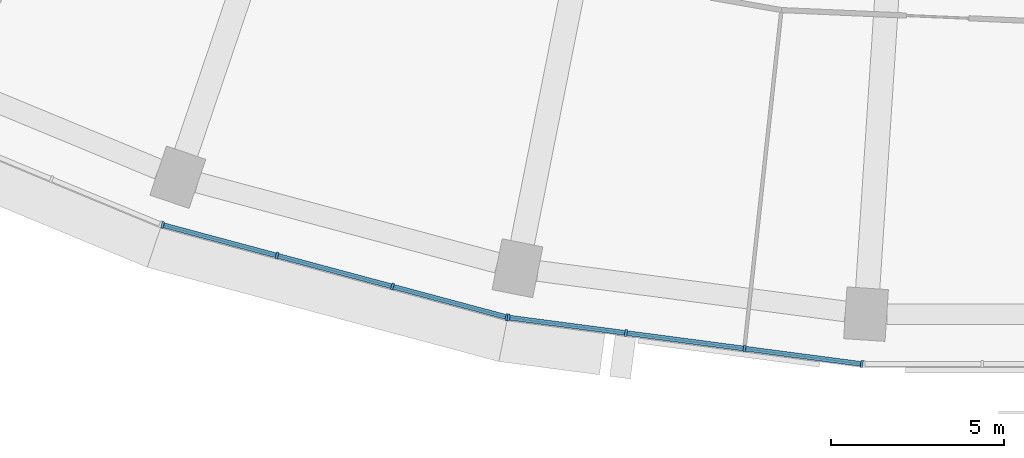
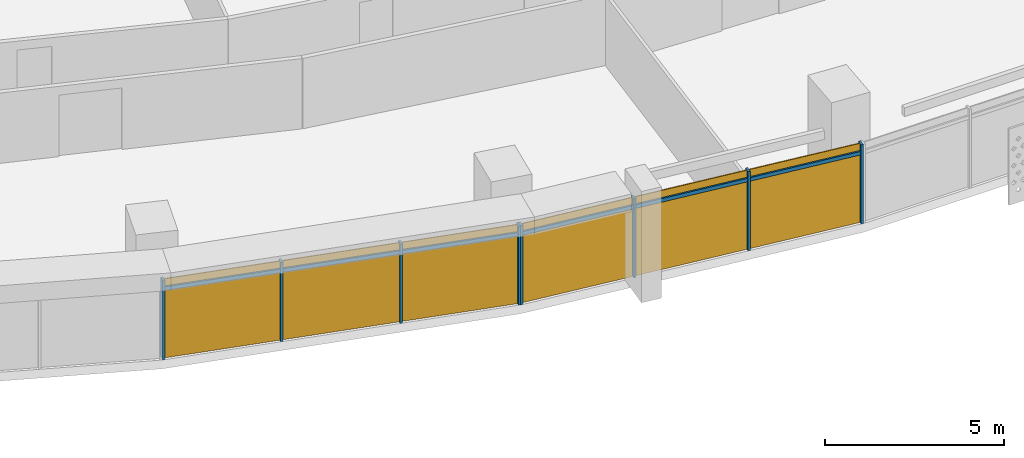
# One storey, part 19 of 29: 14 members, 2 curtain walls.
"""IFC4 building model written with IfcOpenShell, lengths in metres."""

from ifc_helpers import new_model, si_unit, direction, frame, origin, origin_2d, place, context, subcontext, project, spatial, rectangle, extrude, material, material_profile, profile_set, type_object, element, aggregate, save


model = new_model("IFC4")

# Units and contexts
model_context = context("Model", 3, precision=1e-05, world=origin(), true_north=direction((0.0, 1.0)))
body_context = subcontext(model_context, "Body", "Model", "MODEL_VIEW")
ifc_project = project(units=[si_unit("LENGTHUNIT", "METRE"), si_unit("AREAUNIT", "SQUARE_METRE"), si_unit("VOLUMEUNIT", "CUBIC_METRE"), si_unit("PLANEANGLEUNIT", "RADIAN"), si_unit("MASSUNIT", "GRAM", prefix="KILO")], contexts=[model_context])

# Member
ifc_material = material(Name="Aluminium 6063-T6 anodised", Category="aluminium")
ifc_material_profile_1 = material_profile(ifc_material, rectangle(XDim=0.199951171875, YDim=0.070068359375, at=origin_2d()))
ifc_profile_set_1 = profile_set([ifc_material_profile_1], Name="Aluminium 6063-T6 anodised")
member_type_1 = type_object("IfcMemberType", Name="Mullion 70 x 200 aluminium", PredefinedType="MULLION", material=ifc_profile_set_1)
site_placement = place(None, origin())
building_placement = place(site_placement, origin())
storey_placement = place(building_placement, frame((0.0, 0.0, 106.300048828125)))
member_1_placement = place(storey_placement, frame((-25.430419921875, -75.00390625, 0.0), z_axis=(0.0, 0.0, 1.0), x_axis=(0.258819045103, 0.965925826289, 0.0)))
member_1 = element("IfcMember", 1, at=member_1_placement, type_object=member_type_1, Name="e-cw1-L23-out07/M00", PredefinedType="MULLION", context=body_context, shape_type="SweptSolid", body=[
    extrude(rectangle(XDim=0.199951171875, YDim=0.070068359375, at=origin_2d()), origin(), (0.0, 0.0, 1.0), 2.699951171875),
])

member_2_placement = place(storey_placement, frame((-22.12451171875, -75.889892578125, 0.0), z_axis=(0.0, 0.0, 1.0), x_axis=(0.258819045103, 0.965925826289, 0.0)))
member_2 = element("IfcMember", 2, at=member_2_placement, type_object=member_type_1, Name="e-cw1-L23-out07/M01", PredefinedType="MULLION", context=body_context, shape_type="SweptSolid", body=[
    extrude(rectangle(XDim=0.199951171875, YDim=0.070068359375, at=origin_2d()), origin(), (0.0, 0.0, 1.0), 2.699951171875),
])

member_3_placement = place(storey_placement, frame((-18.78466796875, -76.78466796875, 0.0), z_axis=(0.0, 0.0, 1.0), x_axis=(0.258819045103, 0.965925826289, 0.0)))
member_3 = element("IfcMember", 3, at=member_3_placement, type_object=member_type_1, Name="e-cw1-L23-out07/M02", PredefinedType="MULLION", context=body_context, shape_type="SweptSolid", body=[
    extrude(rectangle(XDim=0.199951171875, YDim=0.070068359375, at=origin_2d()), origin(), (0.0, 0.0, 1.0), 2.699951171875),
])

member_4_placement = place(storey_placement, frame((-15.478515625, -77.670654296875, 0.0), z_axis=(0.0, 0.0, 1.0), x_axis=(0.258819045103, 0.965925826289, 0.0)))
member_4 = element("IfcMember", 4, at=member_4_placement, type_object=member_type_1, Name="e-cw1-L23-out07/M03", PredefinedType="MULLION", context=body_context, shape_type="SweptSolid", body=[
    extrude(rectangle(XDim=0.199951171875, YDim=0.070068359375, at=origin_2d()), origin(), (0.0, 0.0, 1.0), 2.699951171875),
])

member_5_placement = place(storey_placement, frame((-15.4228515625, -77.681640625, 0.0), z_axis=(0.0, 0.0, 1.0), x_axis=(0.13052619222, 0.991444861374, 0.0)))
member_5 = element("IfcMember", 5, at=member_5_placement, type_object=member_type_1, Name="e-cw1-L23-out08/M00", PredefinedType="MULLION", context=body_context, shape_type="SweptSolid", body=[
    extrude(rectangle(XDim=0.199951171875, YDim=0.070068359375, at=origin_2d()), origin(), (0.0, 0.0, 1.0), 2.699951171875),
])

member_6_placement = place(storey_placement, frame((-12.029541015625, -78.12841796875, 0.0), z_axis=(0.0, 0.0, 1.0), x_axis=(0.13052619222, 0.991444861374, 0.0)))
member_6 = element("IfcMember", 6, at=member_6_placement, type_object=member_type_1, Name="e-cw1-L23-out08/M01", PredefinedType="MULLION", context=body_context, shape_type="SweptSolid", body=[
    extrude(rectangle(XDim=0.199951171875, YDim=0.070068359375, at=origin_2d()), origin(), (0.0, 0.0, 1.0), 2.699951171875),
])

member_7_placement = place(storey_placement, frame((-8.6015625, -78.579833984375, 0.0), z_axis=(0.0, 0.0, 1.0), x_axis=(0.13052619222, 0.991444861374, 0.0)))
member_7 = element("IfcMember", 7, at=member_7_placement, type_object=member_type_1, Name="e-cw1-L23-out08/M02", PredefinedType="MULLION", context=body_context, shape_type="SweptSolid", body=[
    extrude(rectangle(XDim=0.199951171875, YDim=0.070068359375, at=origin_2d()), origin(), (0.0, 0.0, 1.0), 2.699951171875),
])

member_8_placement = place(storey_placement, frame((-5.2080078125, -79.026611328125, 0.0), z_axis=(0.0, 0.0, 1.0), x_axis=(0.13052619222, 0.991444861374, 0.0)))
member_8 = element("IfcMember", 8, at=member_8_placement, type_object=member_type_1, Name="e-cw1-L23-out08/M03", PredefinedType="MULLION", context=body_context, shape_type="SweptSolid", body=[
    extrude(rectangle(XDim=0.199951171875, YDim=0.070068359375, at=origin_2d()), origin(), (0.0, 0.0, 1.0), 2.699951171875),
])

ifc_material_profile_2 = material_profile(ifc_material, rectangle(XDim=0.139892578125, YDim=0.1201171875, at=origin_2d()))
ifc_profile_set_2 = profile_set([ifc_material_profile_2], Name="Aluminium 6063-T6 anodised")
member_type_2 = type_object("IfcMemberType", Name="Transom 120 x 140 aluminium", PredefinedType="USERDEFINED", material=ifc_profile_set_2)
member_9_placement = place(storey_placement, frame((-25.396728515625, -75.01318359375, 2.39990234375), z_axis=(0.965932125453, -0.258795535157, 0.0), x_axis=(0.258795535157, 0.965932125453, 0.0)))
member_9 = element("IfcMember", 9, at=member_9_placement, type_object=member_type_2, Name="e-cw1-L23-out07/T00", ObjectType="TRANSOM", PredefinedType="USERDEFINED", context=body_context, shape_type="SweptSolid", body=[
    extrude(rectangle(XDim=0.139892578125, YDim=0.1201171875, at=origin_2d()), origin(), (0.0, 0.0, 1.0), 3.352783203125),
])

member_10_placement = place(storey_placement, frame((-22.090576171875, -75.89892578125, 2.39990234375), z_axis=(0.965931646033, -0.258797324547, 0.0), x_axis=(0.258797324547, 0.965931646033, 0.0)))
member_10 = element("IfcMember", 10, at=member_10_placement, type_object=member_type_2, Name="e-cw1-L23-out07/T01", ObjectType="TRANSOM", PredefinedType="USERDEFINED", context=body_context, shape_type="SweptSolid", body=[
    extrude(rectangle(XDim=0.139892578125, YDim=0.1201171875, at=origin_2d()), origin(), (0.0, 0.0, 1.0), 3.3876953125),
])

member_11_placement = place(storey_placement, frame((-18.750732421875, -76.7939453125, 2.39990234375), z_axis=(0.965927247937, -0.258813739382, 0.0), x_axis=(0.258813739382, 0.965927247937, 0.0)))
member_11 = element("IfcMember", 11, at=member_11_placement, type_object=member_type_2, Name="e-cw1-L23-out07/T02", ObjectType="TRANSOM", PredefinedType="USERDEFINED", context=body_context, shape_type="SweptSolid", body=[
    extrude(rectangle(XDim=0.139892578125, YDim=0.1201171875, at=origin_2d()), origin(), (0.0, 0.0, 1.0), 3.3525390625),
])

member_12_placement = place(storey_placement, frame((-15.38818359375, -77.686279296875, 2.39990234375), z_axis=(0.991449089759, -0.130494070426, 0.0), x_axis=(0.130494070426, 0.991449089759, 0.0)))
member_12 = element("IfcMember", 12, at=member_12_placement, type_object=member_type_2, Name="e-cw1-L23-out08/T00", ObjectType="TRANSOM", PredefinedType="USERDEFINED", context=body_context, shape_type="SweptSolid", body=[
    extrude(rectangle(XDim=0.139892578125, YDim=0.1201171875, at=origin_2d()), origin(), (0.0, 0.0, 1.0), 3.3525390625),
])

member_13_placement = place(storey_placement, frame((-11.994873046875, -78.133056640625, 2.39990234375), z_axis=(0.991446198807, -0.130516033004, 0.0), x_axis=(0.130516033004, 0.991446198807, 0.0)))
member_13 = element("IfcMember", 13, at=member_13_placement, type_object=member_type_2, Name="e-cw1-L23-out08/T01", ObjectType="TRANSOM", PredefinedType="USERDEFINED", context=body_context, shape_type="SweptSolid", body=[
    extrude(rectangle(XDim=0.139892578125, YDim=0.1201171875, at=origin_2d()), origin(), (0.0, 0.0, 1.0), 3.3876953125),
])

member_14_placement = place(storey_placement, frame((-8.56689453125, -78.584228515625, 2.39990234375), z_axis=(0.991439665896, -0.130565649721, 0.0), x_axis=(0.130565649721, 0.991439665896, 0.0)))
member_14 = element("IfcMember", 14, at=member_14_placement, type_object=member_type_2, Name="e-cw1-L23-out08/T02", ObjectType="TRANSOM", PredefinedType="USERDEFINED", context=body_context, shape_type="SweptSolid", body=[
    extrude(rectangle(XDim=0.139892578125, YDim=0.1201171875, at=origin_2d()), origin(), (0.0, 0.0, 1.0), 3.352783203125),
])

# Site, building, storey
site = spatial("IfcSite", under=ifc_project, at=site_placement, CompositionType="ELEMENT")
building = spatial("IfcBuilding", under=site, at=building_placement, Name="Qamariyya Broadcast Tower", CompositionType="ELEMENT")
storey = spatial("IfcBuildingStorey", under=building, at=storey_placement, Name="L23", CompositionType="ELEMENT", Elevation=106.300048828125)

# Curtain wall
curtain_wall_type = type_object("IfcCurtainWallType", Name="Unitised curtain wall, anodised aluminium", PredefinedType="NOTDEFINED", material=ifc_material)
curtain_wall_1_placement = place(storey_placement, origin())
curtain_wall_1 = element("IfcCurtainWall", 15, at=curtain_wall_1_placement, inside=storey, type_object=curtain_wall_type, Name="e-cw1-L23-out07", PredefinedType="NOTDEFINED", context=body_context, shape_type="SweptSolid", body=[
    extrude(rectangle(XDim=3.352783203125, YDim=0.031982421875, at=origin_2d()), frame((-23.777587890625, -75.44677734375, 0.0), x_axis=(0.965923677743, -0.258827063454, 0.0)), (0.0, 0.0, 1.0), 2.340087890625),
    extrude(rectangle(XDim=3.352783203125, YDim=0.031982421875, at=origin_2d()), frame((-23.777587890625, -75.44677734375, 2.4599609375), x_axis=(0.965923677743, -0.258827063454, 0.0)), (0.0, 0.0, 1.0), 0.239990234375),
    extrude(rectangle(XDim=3.3876953125, YDim=0.031982421875, at=origin_2d()), frame((-20.45458984375, -76.33740234375, 0.0), x_axis=(0.965923677743, -0.258827063454, 0.0)), (0.0, 0.0, 1.0), 2.340087890625),
    extrude(rectangle(XDim=3.3876953125, YDim=0.031982421875, at=origin_2d()), frame((-20.45458984375, -76.33740234375, 2.4599609375), x_axis=(0.965923677743, -0.258827063454, 0.0)), (0.0, 0.0, 1.0), 0.239990234375),
    extrude(rectangle(XDim=3.352783203125, YDim=0.031982421875, at=origin_2d()), frame((-17.131591796875, -77.227783203125, 0.0), x_axis=(0.965923677743, -0.258827063454, 0.0)), (0.0, 0.0, 1.0), 2.340087890625),
    extrude(rectangle(XDim=3.352783203125, YDim=0.031982421875, at=origin_2d()), frame((-17.131591796875, -77.227783203125, 2.4599609375), x_axis=(0.965923677743, -0.258827063454, 0.0)), (0.0, 0.0, 1.0), 0.239990234375),
])

aggregate(curtain_wall_1, [member_1, member_2, member_3, member_4, member_9, member_10, member_11])

curtain_wall_2_placement = place(storey_placement, origin())
curtain_wall_2 = element("IfcCurtainWall", 16, at=curtain_wall_2_placement, inside=storey, type_object=curtain_wall_type, Name="e-cw1-L23-out08", PredefinedType="NOTDEFINED", context=body_context, shape_type="SweptSolid", body=[
    extrude(rectangle(XDim=3.3525390625, YDim=0.031982421875, at=origin_2d()), frame((-13.72607421875, -77.9052734375, 0.0), x_axis=(0.991447084105, -0.13050930779, 0.0)), (0.0, 0.0, 1.0), 2.340087890625),
    extrude(rectangle(XDim=3.3525390625, YDim=0.031982421875, at=origin_2d()), frame((-13.72607421875, -77.9052734375, 2.4599609375), x_axis=(0.991447084105, -0.13050930779, 0.0)), (0.0, 0.0, 1.0), 0.239990234375),
    extrude(rectangle(XDim=3.3876953125, YDim=0.031982421875, at=origin_2d()), frame((-10.3154296875, -78.35400390625, 0.0), x_axis=(0.991447084105, -0.13050930779, 0.0)), (0.0, 0.0, 1.0), 2.340087890625),
    extrude(rectangle(XDim=3.3876953125, YDim=0.031982421875, at=origin_2d()), frame((-10.3154296875, -78.35400390625, 2.4599609375), x_axis=(0.991447084105, -0.13050930779, 0.0)), (0.0, 0.0, 1.0), 0.239990234375),
    extrude(rectangle(XDim=3.3525390625, YDim=0.031982421875, at=origin_2d()), frame((-6.90478515625, -78.802978515625, 0.0), x_axis=(0.991447084105, -0.13050930779, 0.0)), (0.0, 0.0, 1.0), 2.340087890625),
    extrude(rectangle(XDim=3.3525390625, YDim=0.031982421875, at=origin_2d()), frame((-6.90478515625, -78.802978515625, 2.4599609375), x_axis=(0.991447084105, -0.13050930779, 0.0)), (0.0, 0.0, 1.0), 0.239990234375),
])

aggregate(curtain_wall_2, [member_5, member_6, member_7, member_8, member_12, member_13, member_14])

save(model, "model.ifc")
